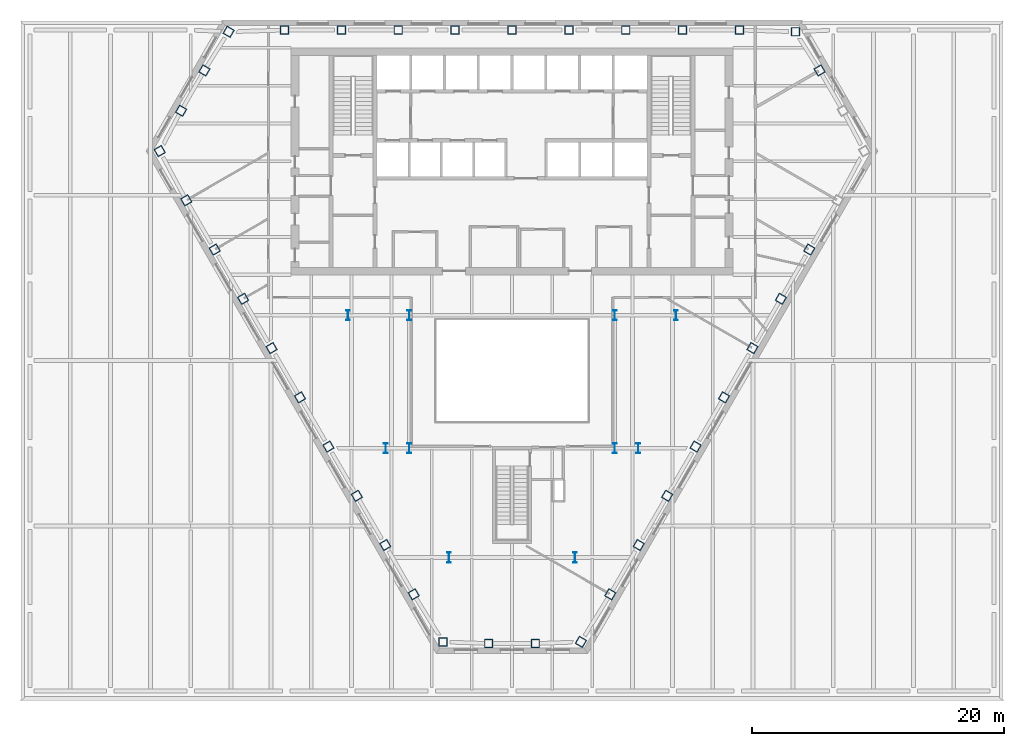
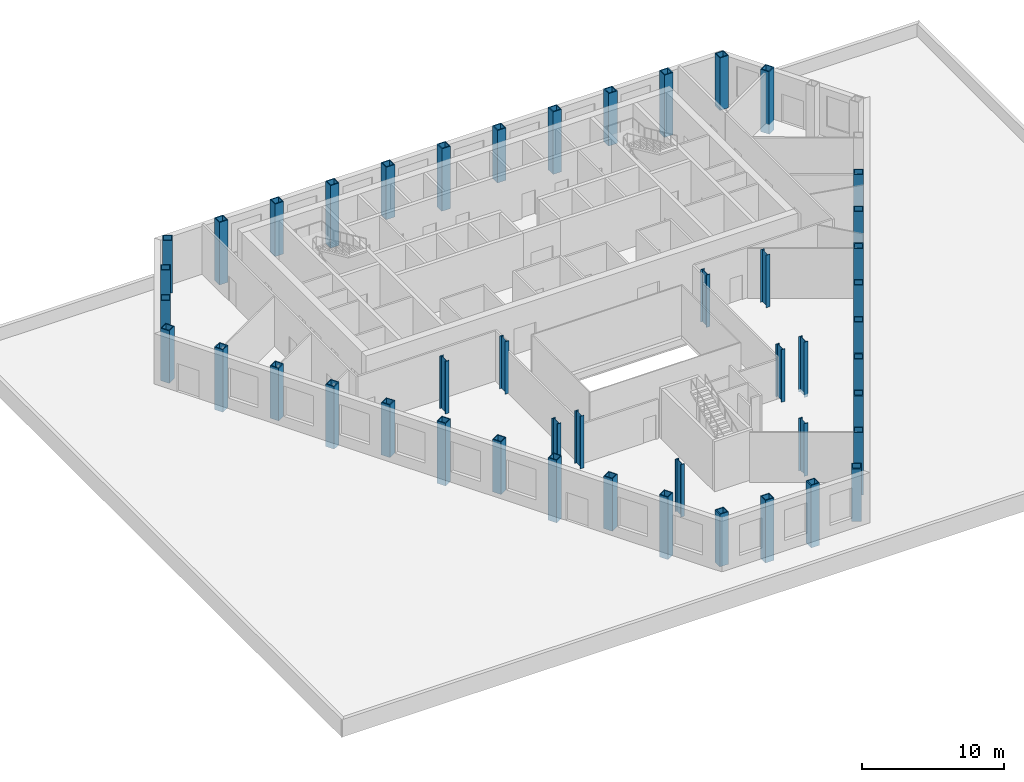
# One storey, part 1 of 14: 46 columns.
"""IFC4 building model written with IfcOpenShell, lengths in metres."""

from ifc_helpers import new_model, si_unit, direction, frame, origin, origin_2d, place, context, subcontext, project, spatial, hollow_rectangle, i_section, extrude, material, material_profile, profile_set, type_object, element, save


model = new_model("IFC4")

# Units and contexts
model_context = context("Model", 3, precision=1e-05, world=origin(), true_north=direction((0.0, 1.0)))
body_context = subcontext(model_context, "Body", "Model", "MODEL_VIEW")
ifc_project = project(units=[si_unit("LENGTHUNIT", "METRE"), si_unit("AREAUNIT", "SQUARE_METRE"), si_unit("VOLUMEUNIT", "CUBIC_METRE"), si_unit("PLANEANGLEUNIT", "RADIAN"), si_unit("MASSUNIT", "GRAM", prefix="KILO")], contexts=[model_context])

# Site, building, storey
site_placement = place(None, origin())
site = spatial("IfcSite", under=ifc_project, at=site_placement, CompositionType="ELEMENT")
building_placement = place(site_placement, origin())
building = spatial("IfcBuilding", under=site, at=building_placement, Name="Njiva Tower", CompositionType="ELEMENT")
storey_placement = place(building_placement, frame((0.0, 0.0, 28.8)))
storey = spatial("IfcBuildingStorey", under=building, at=storey_placement, Name="L05", CompositionType="ELEMENT", Elevation=28.8)

# Columns
ifc_material = material(Name="Steel S355 J2", Category="steel")
ifc_material_profile_1 = material_profile(ifc_material, hollow_rectangle(XDim=0.7, YDim=0.7, WallThickness=0.07, at=origin_2d()), Name="BOX 700x700x70")
ifc_profile_set_1 = profile_set([ifc_material_profile_1], Name="Steel S355 J2")
column_type_1 = type_object("IfcColumnType", Name="C5 Perimeter tube column BOX 700x700x70", PredefinedType="COLUMN", material=ifc_profile_set_1)
column_1_placement = place(storey_placement, frame((22.461, 19.267, 0.0), z_axis=(0.0, 0.0, 1.0), x_axis=(-1.0, 0.0, 0.0)))
element("IfcColumn", 1, at=column_1_placement, inside=storey, type_object=column_type_1, Name="Perimeter tube column S01-C01", PredefinedType="COLUMN", context=body_context, shape_type="SweptSolid", body=[
    extrude(hollow_rectangle(XDim=0.7, YDim=0.7, WallThickness=0.07, at=origin_2d()), origin(), (0.0, 0.0, 1.0), 4.5),
])
column_2_placement = place(storey_placement, frame((18.03, 19.4, -0.85), z_axis=(0.0, 0.0, 1.0), x_axis=(-1.0, 0.0, 0.0)))
element("IfcColumn", 2, at=column_2_placement, inside=storey, type_object=column_type_1, Name="Perimeter tube column S01-C02", PredefinedType="COLUMN", context=body_context, shape_type="SweptSolid", body=[
    extrude(hollow_rectangle(XDim=0.7, YDim=0.7, WallThickness=0.07, at=origin_2d()), origin(), (0.0, 0.0, 1.0), 5.35),
])
column_3_placement = place(storey_placement, frame((13.523, 19.4, 0.0), z_axis=(0.0, 0.0, 1.0), x_axis=(-1.0, 0.0, 0.0)))
element("IfcColumn", 3, at=column_3_placement, inside=storey, type_object=column_type_1, Name="Perimeter tube column S01-C03", PredefinedType="COLUMN", context=body_context, shape_type="SweptSolid", body=[
    extrude(hollow_rectangle(XDim=0.7, YDim=0.7, WallThickness=0.07, at=origin_2d()), origin(), (0.0, 0.0, 1.0), 4.5),
])
column_4_placement = place(storey_placement, frame((9.015, 19.4, -0.85), z_axis=(0.0, 0.0, 1.0), x_axis=(-1.0, 0.0, 0.0)))
element("IfcColumn", 4, at=column_4_placement, inside=storey, type_object=column_type_1, Name="Perimeter tube column S01-C04", PredefinedType="COLUMN", context=body_context, shape_type="SweptSolid", body=[
    extrude(hollow_rectangle(XDim=0.7, YDim=0.7, WallThickness=0.07, at=origin_2d()), origin(), (0.0, 0.0, 1.0), 5.35),
])
column_5_placement = place(storey_placement, frame((4.508, 19.4, 0.0), z_axis=(0.0, 0.0, 1.0), x_axis=(-1.0, 0.0, 0.0)))
element("IfcColumn", 5, at=column_5_placement, inside=storey, type_object=column_type_1, Name="Perimeter tube column S01-C05", PredefinedType="COLUMN", context=body_context, shape_type="SweptSolid", body=[
    extrude(hollow_rectangle(XDim=0.7, YDim=0.7, WallThickness=0.07, at=origin_2d()), origin(), (0.0, 0.0, 1.0), 4.5),
])
column_6_placement = place(storey_placement, frame((0.0, 19.4, -0.85), z_axis=(0.0, 0.0, 1.0), x_axis=(-1.0, 0.0, 0.0)))
element("IfcColumn", 6, at=column_6_placement, inside=storey, type_object=column_type_1, Name="Perimeter tube column S01-C06", PredefinedType="COLUMN", context=body_context, shape_type="SweptSolid", body=[
    extrude(hollow_rectangle(XDim=0.7, YDim=0.7, WallThickness=0.07, at=origin_2d()), origin(), (0.0, 0.0, 1.0), 5.35),
])
column_7_placement = place(storey_placement, frame((-4.508, 19.4, 0.0), z_axis=(0.0, 0.0, 1.0), x_axis=(-1.0, 0.0, 0.0)))
element("IfcColumn", 7, at=column_7_placement, inside=storey, type_object=column_type_1, Name="Perimeter tube column S01-C07", PredefinedType="COLUMN", context=body_context, shape_type="SweptSolid", body=[
    extrude(hollow_rectangle(XDim=0.7, YDim=0.7, WallThickness=0.07, at=origin_2d()), origin(), (0.0, 0.0, 1.0), 4.5),
])
column_8_placement = place(storey_placement, frame((-9.015, 19.4, -0.85), z_axis=(0.0, 0.0, 1.0), x_axis=(-1.0, 0.0, 0.0)))
element("IfcColumn", 8, at=column_8_placement, inside=storey, type_object=column_type_1, Name="Perimeter tube column S01-C08", PredefinedType="COLUMN", context=body_context, shape_type="SweptSolid", body=[
    extrude(hollow_rectangle(XDim=0.7, YDim=0.7, WallThickness=0.07, at=origin_2d()), origin(), (0.0, 0.0, 1.0), 5.35),
])
column_9_placement = place(storey_placement, frame((-13.523, 19.4, 0.0), z_axis=(0.0, 0.0, 1.0), x_axis=(-1.0, 0.0, 0.0)))
element("IfcColumn", 9, at=column_9_placement, inside=storey, type_object=column_type_1, Name="Perimeter tube column S01-C09", PredefinedType="COLUMN", context=body_context, shape_type="SweptSolid", body=[
    extrude(hollow_rectangle(XDim=0.7, YDim=0.7, WallThickness=0.07, at=origin_2d()), origin(), (0.0, 0.0, 1.0), 4.5),
])
column_10_placement = place(storey_placement, frame((-18.03, 19.4, -0.85), z_axis=(0.0, 0.0, 1.0), x_axis=(-1.0, 0.0, 0.0)))
element("IfcColumn", 10, at=column_10_placement, inside=storey, type_object=column_type_1, Name="Perimeter tube column S01-C10", PredefinedType="COLUMN", context=body_context, shape_type="SweptSolid", body=[
    extrude(hollow_rectangle(XDim=0.7, YDim=0.7, WallThickness=0.07, at=origin_2d()), origin(), (0.0, 0.0, 1.0), 5.35),
])
column_11_placement = place(storey_placement, frame((-22.461, 19.267, 0.0), z_axis=(0.0, 0.0, 1.0), x_axis=(-0.5, -0.866025403784, 0.0)))
element("IfcColumn", 11, at=column_11_placement, inside=storey, type_object=column_type_1, Name="Perimeter tube column S01-C11", PredefinedType="COLUMN", context=body_context, shape_type="SweptSolid", body=[
    extrude(hollow_rectangle(XDim=0.7, YDim=0.7, WallThickness=0.07, at=origin_2d()), origin(), (0.0, 0.0, 1.0), 4.5),
])
for number, where, z_axis, x_axis, name in (
    (12, (-24.384, 16.203, -0.85), (0.0, 0.0, 1.0), (-0.5, -0.866025403784, 0.0), "Perimeter tube column S01-C12"),
    (13, (-26.23, 13.005, -0.85), (0.0, 0.0, 1.0), (-0.5, -0.866025403784, 0.0), "Perimeter tube column S01-C13"),
):
    element("IfcColumn", number, at=place(storey_placement, frame(where, z_axis=z_axis, x_axis=x_axis)), inside=storey, type_object=column_type_1, Name=name, PredefinedType="COLUMN", context=body_context, shape_type="SweptSolid", body=[
        extrude(hollow_rectangle(XDim=0.7, YDim=0.7, WallThickness=0.07, at=origin_2d()), origin(), (0.0, 0.0, 1.0), 5.35),
    ])
column_12_placement = place(storey_placement, frame((-27.923, 9.808, 0.0), z_axis=(0.0, 0.0, 1.0), x_axis=(0.5, -0.866025403784, 0.0)))
element("IfcColumn", 14, at=column_12_placement, inside=storey, type_object=column_type_1, Name="Perimeter tube column S01-C14", PredefinedType="COLUMN", context=body_context, shape_type="SweptSolid", body=[
    extrude(hollow_rectangle(XDim=0.7, YDim=0.7, WallThickness=0.07, at=origin_2d()), origin(), (0.0, 0.0, 1.0), 4.5),
])
column_13_placement = place(storey_placement, frame((-25.822, 5.904, -0.85), z_axis=(0.0, 0.0, 1.0), x_axis=(0.5, -0.866025403784, 0.0)))
element("IfcColumn", 15, at=column_13_placement, inside=storey, type_object=column_type_1, Name="Perimeter tube column S01-C15", PredefinedType="COLUMN", context=body_context, shape_type="SweptSolid", body=[
    extrude(hollow_rectangle(XDim=0.7, YDim=0.7, WallThickness=0.07, at=origin_2d()), origin(), (0.0, 0.0, 1.0), 5.35),
])
column_14_placement = place(storey_placement, frame((-23.569, 2.0, 0.0), z_axis=(0.0, 0.0, 1.0), x_axis=(0.5, -0.866025403784, 0.0)))
element("IfcColumn", 16, at=column_14_placement, inside=storey, type_object=column_type_1, Name="Perimeter tube column S01-C16", PredefinedType="COLUMN", context=body_context, shape_type="SweptSolid", body=[
    extrude(hollow_rectangle(XDim=0.7, YDim=0.7, WallThickness=0.07, at=origin_2d()), origin(), (0.0, 0.0, 1.0), 4.5),
])
column_15_placement = place(storey_placement, frame((-21.315, -1.903, -0.85), z_axis=(0.0, 0.0, 1.0), x_axis=(0.5, -0.866025403784, 0.0)))
element("IfcColumn", 17, at=column_15_placement, inside=storey, type_object=column_type_1, Name="Perimeter tube column S01-C17", PredefinedType="COLUMN", context=body_context, shape_type="SweptSolid", body=[
    extrude(hollow_rectangle(XDim=0.7, YDim=0.7, WallThickness=0.07, at=origin_2d()), origin(), (0.0, 0.0, 1.0), 5.35),
])
column_16_placement = place(storey_placement, frame((-19.061, -5.807, 0.0), z_axis=(0.0, 0.0, 1.0), x_axis=(0.5, -0.866025403784, 0.0)))
element("IfcColumn", 18, at=column_16_placement, inside=storey, type_object=column_type_1, Name="Perimeter tube column S01-C18", PredefinedType="COLUMN", context=body_context, shape_type="SweptSolid", body=[
    extrude(hollow_rectangle(XDim=0.7, YDim=0.7, WallThickness=0.07, at=origin_2d()), origin(), (0.0, 0.0, 1.0), 4.5),
])
column_17_placement = place(storey_placement, frame((-16.807, -9.711, -0.85), z_axis=(0.0, 0.0, 1.0), x_axis=(0.5, -0.866025403784, 0.0)))
element("IfcColumn", 19, at=column_17_placement, inside=storey, type_object=column_type_1, Name="Perimeter tube column S01-C19", PredefinedType="COLUMN", context=body_context, shape_type="SweptSolid", body=[
    extrude(hollow_rectangle(XDim=0.7, YDim=0.7, WallThickness=0.07, at=origin_2d()), origin(), (0.0, 0.0, 1.0), 5.35),
])
column_18_placement = place(storey_placement, frame((-14.553, -13.615, 0.0), z_axis=(0.0, 0.0, 1.0), x_axis=(0.5, -0.866025403784, 0.0)))
element("IfcColumn", 20, at=column_18_placement, inside=storey, type_object=column_type_1, Name="Perimeter tube column S01-C20", PredefinedType="COLUMN", context=body_context, shape_type="SweptSolid", body=[
    extrude(hollow_rectangle(XDim=0.7, YDim=0.7, WallThickness=0.07, at=origin_2d()), origin(), (0.0, 0.0, 1.0), 4.5),
])
column_19_placement = place(storey_placement, frame((-12.3, -17.518, -0.85), z_axis=(0.0, 0.0, 1.0), x_axis=(0.5, -0.866025403784, 0.0)))
element("IfcColumn", 21, at=column_19_placement, inside=storey, type_object=column_type_1, Name="Perimeter tube column S01-C21", PredefinedType="COLUMN", context=body_context, shape_type="SweptSolid", body=[
    extrude(hollow_rectangle(XDim=0.7, YDim=0.7, WallThickness=0.07, at=origin_2d()), origin(), (0.0, 0.0, 1.0), 5.35),
])
column_20_placement = place(storey_placement, frame((-10.046, -21.422, 0.0), z_axis=(0.0, 0.0, 1.0), x_axis=(0.5, -0.866025403784, 0.0)))
element("IfcColumn", 22, at=column_20_placement, inside=storey, type_object=column_type_1, Name="Perimeter tube column S01-C22", PredefinedType="COLUMN", context=body_context, shape_type="SweptSolid", body=[
    extrude(hollow_rectangle(XDim=0.7, YDim=0.7, WallThickness=0.07, at=origin_2d()), origin(), (0.0, 0.0, 1.0), 4.5),
])
column_21_placement = place(storey_placement, frame((-7.792, -25.326, -0.85), z_axis=(0.0, 0.0, 1.0), x_axis=(0.5, -0.866025403784, 0.0)))
element("IfcColumn", 23, at=column_21_placement, inside=storey, type_object=column_type_1, Name="Perimeter tube column S01-C23", PredefinedType="COLUMN", context=body_context, shape_type="SweptSolid", body=[
    extrude(hollow_rectangle(XDim=0.7, YDim=0.7, WallThickness=0.07, at=origin_2d()), origin(), (0.0, 0.0, 1.0), 5.35),
])
column_22_placement = place(storey_placement, frame((-5.461, -29.096, 0.0), z_axis=(0.0, 0.0, 1.0), x_axis=(1.0, 0.0, 0.0)))
element("IfcColumn", 24, at=column_22_placement, inside=storey, type_object=column_type_1, Name="Perimeter tube column S01-C24", PredefinedType="COLUMN", context=body_context, shape_type="SweptSolid", body=[
    extrude(hollow_rectangle(XDim=0.7, YDim=0.7, WallThickness=0.07, at=origin_2d()), origin(), (0.0, 0.0, 1.0), 4.5),
])
for number, where, z_axis, x_axis, name in (
    (25, (-1.846, -29.229, -0.85), (0.0, 0.0, 1.0), (1.0, 0.0, 0.0), "Perimeter tube column S01-C25"),
    (26, (1.846, -29.229, -0.85), (0.0, 0.0, 1.0), (1.0, 0.0, 0.0), "Perimeter tube column S01-C26"),
):
    element("IfcColumn", number, at=place(storey_placement, frame(where, z_axis=z_axis, x_axis=x_axis)), inside=storey, type_object=column_type_1, Name=name, PredefinedType="COLUMN", context=body_context, shape_type="SweptSolid", body=[
        extrude(hollow_rectangle(XDim=0.7, YDim=0.7, WallThickness=0.07, at=origin_2d()), origin(), (0.0, 0.0, 1.0), 5.35),
    ])
column_23_placement = place(storey_placement, frame((5.461, -29.096, 0.0), z_axis=(0.0, 0.0, 1.0), x_axis=(0.5, 0.866025403784, 0.0)))
element("IfcColumn", 27, at=column_23_placement, inside=storey, type_object=column_type_1, Name="Perimeter tube column S01-C27", PredefinedType="COLUMN", context=body_context, shape_type="SweptSolid", body=[
    extrude(hollow_rectangle(XDim=0.7, YDim=0.7, WallThickness=0.07, at=origin_2d()), origin(), (0.0, 0.0, 1.0), 4.5),
])
column_24_placement = place(storey_placement, frame((7.792, -25.326, -0.85), z_axis=(0.0, 0.0, 1.0), x_axis=(0.5, 0.866025403784, 0.0)))
element("IfcColumn", 28, at=column_24_placement, inside=storey, type_object=column_type_1, Name="Perimeter tube column S01-C28", PredefinedType="COLUMN", context=body_context, shape_type="SweptSolid", body=[
    extrude(hollow_rectangle(XDim=0.7, YDim=0.7, WallThickness=0.07, at=origin_2d()), origin(), (0.0, 0.0, 1.0), 5.35),
])
column_25_placement = place(storey_placement, frame((10.046, -21.422, 0.0), z_axis=(0.0, 0.0, 1.0), x_axis=(0.5, 0.866025403784, 0.0)))
element("IfcColumn", 29, at=column_25_placement, inside=storey, type_object=column_type_1, Name="Perimeter tube column S01-C29", PredefinedType="COLUMN", context=body_context, shape_type="SweptSolid", body=[
    extrude(hollow_rectangle(XDim=0.7, YDim=0.7, WallThickness=0.07, at=origin_2d()), origin(), (0.0, 0.0, 1.0), 4.5),
])
column_26_placement = place(storey_placement, frame((12.3, -17.518, -0.85), z_axis=(0.0, 0.0, 1.0), x_axis=(0.5, 0.866025403784, 0.0)))
element("IfcColumn", 30, at=column_26_placement, inside=storey, type_object=column_type_1, Name="Perimeter tube column S01-C30", PredefinedType="COLUMN", context=body_context, shape_type="SweptSolid", body=[
    extrude(hollow_rectangle(XDim=0.7, YDim=0.7, WallThickness=0.07, at=origin_2d()), origin(), (0.0, 0.0, 1.0), 5.35),
])
column_27_placement = place(storey_placement, frame((14.553, -13.615, 0.0), z_axis=(0.0, 0.0, 1.0), x_axis=(0.5, 0.866025403784, 0.0)))
element("IfcColumn", 31, at=column_27_placement, inside=storey, type_object=column_type_1, Name="Perimeter tube column S01-C31", PredefinedType="COLUMN", context=body_context, shape_type="SweptSolid", body=[
    extrude(hollow_rectangle(XDim=0.7, YDim=0.7, WallThickness=0.07, at=origin_2d()), origin(), (0.0, 0.0, 1.0), 4.5),
])
column_28_placement = place(storey_placement, frame((16.807, -9.711, -0.85), z_axis=(0.0, 0.0, 1.0), x_axis=(0.5, 0.866025403784, 0.0)))
element("IfcColumn", 32, at=column_28_placement, inside=storey, type_object=column_type_1, Name="Perimeter tube column S01-C32", PredefinedType="COLUMN", context=body_context, shape_type="SweptSolid", body=[
    extrude(hollow_rectangle(XDim=0.7, YDim=0.7, WallThickness=0.07, at=origin_2d()), origin(), (0.0, 0.0, 1.0), 5.35),
])
column_29_placement = place(storey_placement, frame((19.061, -5.807, 0.0), z_axis=(0.0, 0.0, 1.0), x_axis=(0.5, 0.866025403784, 0.0)))
element("IfcColumn", 33, at=column_29_placement, inside=storey, type_object=column_type_1, Name="Perimeter tube column S01-C33", PredefinedType="COLUMN", context=body_context, shape_type="SweptSolid", body=[
    extrude(hollow_rectangle(XDim=0.7, YDim=0.7, WallThickness=0.07, at=origin_2d()), origin(), (0.0, 0.0, 1.0), 4.5),
])
column_30_placement = place(storey_placement, frame((21.315, -1.903, -0.85), z_axis=(0.0, 0.0, 1.0), x_axis=(0.5, 0.866025403784, 0.0)))
element("IfcColumn", 34, at=column_30_placement, inside=storey, type_object=column_type_1, Name="Perimeter tube column S01-C34", PredefinedType="COLUMN", context=body_context, shape_type="SweptSolid", body=[
    extrude(hollow_rectangle(XDim=0.7, YDim=0.7, WallThickness=0.07, at=origin_2d()), origin(), (0.0, 0.0, 1.0), 5.35),
])
column_31_placement = place(storey_placement, frame((23.569, 2.0, 0.0), z_axis=(0.0, 0.0, 1.0), x_axis=(0.5, 0.866025403784, 0.0)))
element("IfcColumn", 35, at=column_31_placement, inside=storey, type_object=column_type_1, Name="Perimeter tube column S01-C35", PredefinedType="COLUMN", context=body_context, shape_type="SweptSolid", body=[
    extrude(hollow_rectangle(XDim=0.7, YDim=0.7, WallThickness=0.07, at=origin_2d()), origin(), (0.0, 0.0, 1.0), 4.5),
])
column_32_placement = place(storey_placement, frame((24.384, 16.203, -0.85), z_axis=(0.0, 0.0, 1.0), x_axis=(-0.5, 0.866025403784, 0.0)))
element("IfcColumn", 36, at=column_32_placement, inside=storey, type_object=column_type_1, Name="Perimeter tube column S01-C39", PredefinedType="COLUMN", context=body_context, shape_type="SweptSolid", body=[
    extrude(hollow_rectangle(XDim=0.7, YDim=0.7, WallThickness=0.07, at=origin_2d()), origin(), (0.0, 0.0, 1.0), 5.35),
])
ifc_material_profile_2 = material_profile(ifc_material, i_section(OverallWidth=0.303, OverallDepth=0.814, WebThickness=0.021, FlangeThickness=0.04, at=origin_2d()), Name="HEM 800")
ifc_profile_set_2 = profile_set([ifc_material_profile_2], Name="Steel S355 J2")
column_type_2 = type_object("IfcColumnType", Name="C6 Interior column HEM 800", PredefinedType="COLUMN", material=ifc_profile_set_2)
for number, where, z_axis, x_axis, name in (
    (37, (8.15, -3.2, 0.0), (0.0, 0.0, 1.0), (1.0, 0.0, 0.0), "Interior column S01-C40"),
    (38, (-8.15, -3.2, 0.0), (0.0, 0.0, 1.0), (1.0, 0.0, 0.0), "Interior column S01-C41"),
    (39, (8.15, -13.75, 0.0), (0.0, 0.0, 1.0), (1.0, 0.0, 0.0), "Interior column S01-C42"),
    (40, (-8.15, -13.75, 0.0), (0.0, 0.0, 1.0), (1.0, 0.0, 0.0), "Interior column S01-C43"),
    (41, (5.0, -22.4, 0.0), (0.0, 0.0, 1.0), (1.0, 0.0, 0.0), "Interior column S01-C44"),
    (42, (-5.0, -22.4, 0.0), (0.0, 0.0, 1.0), (1.0, 0.0, 0.0), "Interior column S01-C45"),
    (43, (13.0, -3.2, 0.0), (0.0, 0.0, 1.0), (1.0, 0.0, 0.0), "Interior column S01-C46"),
    (44, (-13.0, -3.2, 0.0), (0.0, 0.0, 1.0), (1.0, 0.0, 0.0), "Interior column S01-C47"),
):
    element("IfcColumn", number, at=place(storey_placement, frame(where, z_axis=z_axis, x_axis=x_axis)), inside=storey, type_object=column_type_2, Name=name, PredefinedType="COLUMN", context=body_context, shape_type="SweptSolid", body=[
        extrude(i_section(OverallWidth=0.303, OverallDepth=0.814, WebThickness=0.021, FlangeThickness=0.04, at=origin_2d()), origin(), (0.0, 0.0, 1.0), 4.5),
    ])
for number, where, z_axis, x_axis, name in (
    (45, (10.0, -13.75, -0.25), (0.0, 0.0, 1.0), (1.0, 0.0, 0.0), "Interior column S01-C48"),
    (46, (-10.0, -13.75, -0.25), (0.0, 0.0, 1.0), (1.0, 0.0, 0.0), "Interior column S01-C49"),
):
    element("IfcColumn", number, at=place(storey_placement, frame(where, z_axis=z_axis, x_axis=x_axis)), inside=storey, type_object=column_type_2, Name=name, PredefinedType="COLUMN", context=body_context, shape_type="SweptSolid", body=[
        extrude(i_section(OverallWidth=0.303, OverallDepth=0.814, WebThickness=0.021, FlangeThickness=0.04, at=origin_2d()), origin(), (0.0, 0.0, 1.0), 4.75),
    ])

save(model, "model.ifc")
